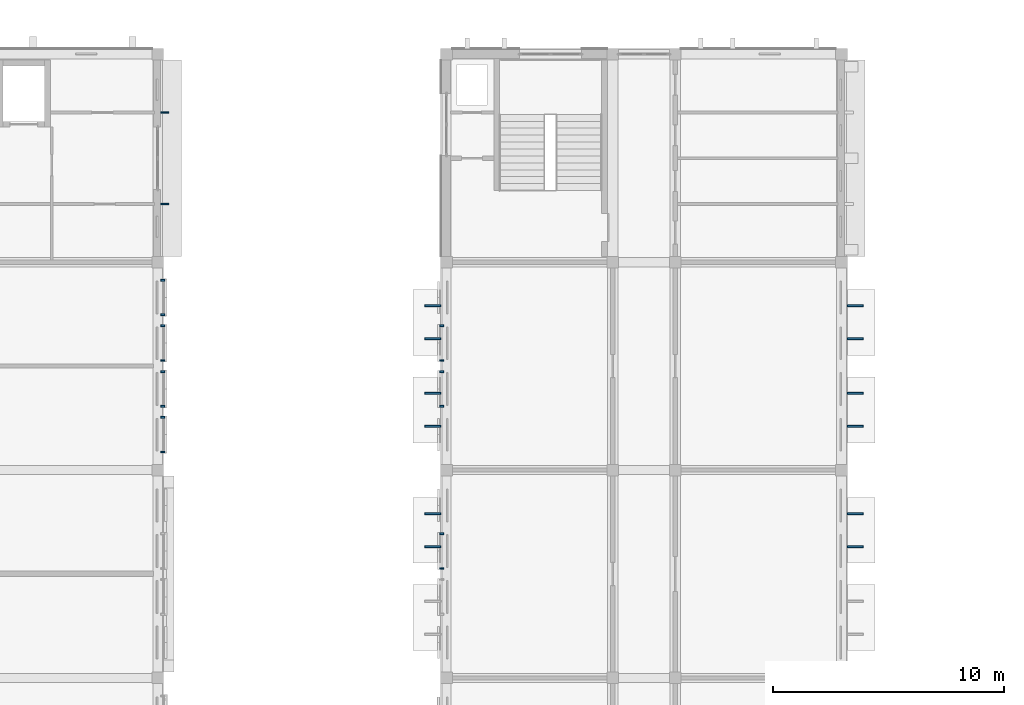
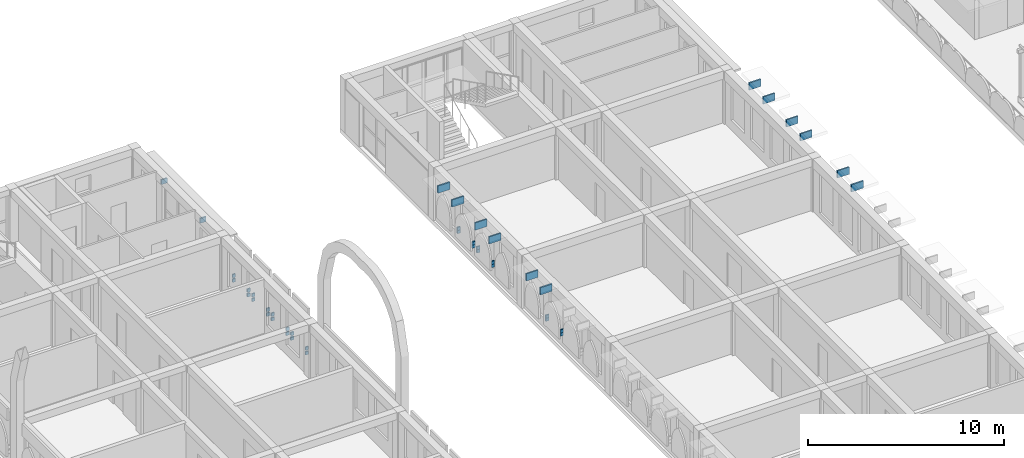
# One storey, part 51 of 65: 42 discrete accessories.
"""IFC4 building model written with IfcOpenShell, lengths in metres."""

from ifc_helpers import new_model, si_unit, direction, frame, origin, origin_2d, place, context, subcontext, project, spatial, rectangle, extrude, material, type_object, element, save


model = new_model("IFC4")

# Units and contexts
model_context = context("Model", 3, precision=1e-05, world=origin(), true_north=direction((0.0, 1.0)))
body_context = subcontext(model_context, "Body", "Model", "MODEL_VIEW")
ifc_project = project(units=[si_unit("LENGTHUNIT", "METRE"), si_unit("AREAUNIT", "SQUARE_METRE"), si_unit("VOLUMEUNIT", "CUBIC_METRE"), si_unit("PLANEANGLEUNIT", "RADIAN"), si_unit("MASSUNIT", "GRAM", prefix="KILO")], contexts=[model_context])

# Site, building, storey
site_placement = place(None, origin())
site = spatial("IfcSite", under=ifc_project, at=site_placement, CompositionType="ELEMENT")
building_placement = place(site_placement, origin())
building = spatial("IfcBuilding", under=site, at=building_placement, Name="Elbe Cascade School", CompositionType="ELEMENT")
storey_placement = place(building_placement, frame((0.0, 0.0, 11.699951171875)))
storey = spatial("IfcBuildingStorey", under=building, at=storey_placement, Name="L03", CompositionType="ELEMENT", Elevation=11.699951171875)

# Discrete accessories
ifc_material = material(Name="Steel S355J2, hot-dip galvanised", Category="steel")
discrete_accessory_type = type_object("IfcDiscreteAccessoryType", Name="Bars envelope Bracket, galvanised steel", PredefinedType="BRACKET", material=ifc_material)
for number, where, z_axis, x_axis, name in (
    (1, (86.31005859375, 42.780029296875, 0.75), (0.0, 0.0, 1.0), (0.0, 1.0, 0.0), "Bracket AC7 jali.e.5.br1ll"),
    (2, (86.31005859375, 42.780029296875, 1.0400390625), (0.0, 0.0, 1.0), (0.0, 1.0, 0.0), "Bracket AC7 jali.e.5.br1lu"),
    (3, (86.31005859375, 44.280029296875, 0.75), (0.0, 0.0, 1.0), (0.0, 1.0, 0.0), "Bracket AC7 jali.e.5.br1rl"),
    (4, (86.31005859375, 44.280029296875, 1.0400390625), (0.0, 0.0, 1.0), (0.0, 1.0, 0.0), "Bracket AC7 jali.e.5.br1ru"),
    (5, (86.31005859375, 44.760009765625, 0.75), (0.0, 0.0, 1.0), (0.0, 1.0, 0.0), "Bracket AC7 jali.e.5.br2ll"),
    (6, (86.31005859375, 44.760009765625, 1.0400390625), (0.0, 0.0, 1.0), (0.0, 1.0, 0.0), "Bracket AC7 jali.e.5.br2lu"),
    (7, (86.31005859375, 46.260009765625, 0.75), (0.0, 0.0, 1.0), (0.0, 1.0, 0.0), "Bracket AC7 jali.e.5.br2rl"),
    (8, (86.31005859375, 46.260009765625, 1.0400390625), (0.0, 0.0, 1.0), (0.0, 1.0, 0.0), "Bracket AC7 jali.e.5.br2ru"),
    (9, (86.31005859375, 46.739990234375, 0.75), (0.0, 0.0, 1.0), (0.0, 1.0, 0.0), "Bracket AC7 jali.e.5.br3ll"),
    (10, (86.31005859375, 46.739990234375, 1.0400390625), (0.0, 0.0, 1.0), (0.0, 1.0, 0.0), "Bracket AC7 jali.e.5.br3lu"),
    (11, (86.31005859375, 48.239990234375, 0.75), (0.0, 0.0, 1.0), (0.0, 1.0, 0.0), "Bracket AC7 jali.e.5.br3rl"),
    (12, (86.31005859375, 48.239990234375, 1.0400390625), (0.0, 0.0, 1.0), (0.0, 1.0, 0.0), "Bracket AC7 jali.e.5.br3ru"),
    (13, (86.31005859375, 48.719970703125, 0.75), (0.0, 0.0, 1.0), (0.0, 1.0, 0.0), "Bracket AC7 jali.e.5.br4ll"),
    (14, (86.31005859375, 48.719970703125, 1.0400390625), (0.0, 0.0, 1.0), (0.0, 1.0, 0.0), "Bracket AC7 jali.e.5.br4lu"),
    (15, (86.31005859375, 50.219970703125, 0.75), (0.0, 0.0, 1.0), (0.0, 1.0, 0.0), "Bracket AC7 jali.e.5.br4rl"),
    (16, (86.31005859375, 50.219970703125, 1.0400390625), (0.0, 0.0, 1.0), (0.0, 1.0, 0.0), "Bracket AC7 jali.e.5.br4ru"),
):
    element("IfcDiscreteAccessory", number, at=place(storey_placement, frame(where, z_axis=z_axis, x_axis=x_axis)), inside=storey, type_object=discrete_accessory_type, Name=name, PredefinedType="BRACKET", context=body_context, shape_type="SweptSolid", body=[
        extrude(rectangle(XDim=0.080078125, YDim=0.179931640625, at=origin_2d()), origin(), (0.0, 0.0, 1.0), 0.199951171875),
    ])
for number, where, z_axis, x_axis, name in (
    (17, (86.39501953125, 53.52001953125, 2.43017578125), (0.0, 0.0, 1.0), (0.0, 1.0, 0.0), "Bracket AC7 eave.e.6.br1"),
    (18, (86.39501953125, 57.47998046875, 2.43017578125), (0.0, 0.0, 1.0), (0.0, 1.0, 0.0), "Bracket AC7 eave.e.6.br2"),
):
    element("IfcDiscreteAccessory", number, at=place(storey_placement, frame(where, z_axis=z_axis, x_axis=x_axis)), inside=storey, type_object=discrete_accessory_type, Name=name, PredefinedType="BRACKET", context=body_context, shape_type="SweptSolid", body=[
        extrude(rectangle(XDim=0.080078125, YDim=0.35009765625, at=origin_2d()), origin(), (0.0, 0.0, 1.0), 0.300048828125),
    ])
for number, where, z_axis, x_axis, name in (
    (19, (98.389892578125, 37.739990234375, 0.75), (0.0, 0.0, 1.0), (0.0, 1.0, 0.0), "Bracket AC7 jali.w.4.br3ll"),
    (20, (98.389892578125, 37.739990234375, 0.93994140625), (0.0, 0.0, 1.0), (0.0, 1.0, 0.0), "Bracket AC7 jali.w.4.br3lu"),
    (21, (98.389892578125, 39.239990234375, 0.75), (0.0, 0.0, 1.0), (0.0, 1.0, 0.0), "Bracket AC7 jali.w.4.br3rl"),
    (22, (98.389892578125, 39.239990234375, 0.93994140625), (0.0, 0.0, 1.0), (0.0, 1.0, 0.0), "Bracket AC7 jali.w.4.br3ru"),
    (23, (98.389892578125, 44.760009765625, 0.75), (0.0, 0.0, 1.0), (0.0, 1.0, 0.0), "Bracket AC7 jali.w.5.br2ll"),
    (24, (98.389892578125, 44.760009765625, 0.93994140625), (0.0, 0.0, 1.0), (0.0, 1.0, 0.0), "Bracket AC7 jali.w.5.br2lu"),
    (25, (98.389892578125, 46.260009765625, 0.75), (0.0, 0.0, 1.0), (0.0, 1.0, 0.0), "Bracket AC7 jali.w.5.br2rl"),
    (26, (98.389892578125, 46.260009765625, 0.93994140625), (0.0, 0.0, 1.0), (0.0, 1.0, 0.0), "Bracket AC7 jali.w.5.br2ru"),
    (27, (98.389892578125, 46.739990234375, 0.75), (0.0, 0.0, 1.0), (0.0, 1.0, 0.0), "Bracket AC7 jali.w.5.br3ll"),
    (28, (98.389892578125, 46.739990234375, 0.93994140625), (0.0, 0.0, 1.0), (0.0, 1.0, 0.0), "Bracket AC7 jali.w.5.br3lu"),
    (29, (98.389892578125, 48.239990234375, 0.75), (0.0, 0.0, 1.0), (0.0, 1.0, 0.0), "Bracket AC7 jali.w.5.br3rl"),
    (30, (98.389892578125, 48.239990234375, 0.93994140625), (0.0, 0.0, 1.0), (0.0, 1.0, 0.0), "Bracket AC7 jali.w.5.br3ru"),
):
    element("IfcDiscreteAccessory", number, at=place(storey_placement, frame(where, z_axis=z_axis, x_axis=x_axis)), inside=storey, type_object=discrete_accessory_type, Name=name, PredefinedType="BRACKET", context=body_context, shape_type="SweptSolid", body=[
        extrude(rectangle(XDim=0.080078125, YDim=0.179931640625, at=origin_2d()), origin(), (0.0, 0.0, 1.0), 0.199951171875),
    ])
for number, where, z_axis, x_axis, name in (
    (31, (98.0, 38.6787109375, 2.97021484375), (0.0, 0.0, 1.0), (0.0, 1.0, 0.0), "Bracket AC7 chslab.w.3.2.br1"),
    (32, (98.0, 40.106201171875, 2.97021484375), (0.0, 0.0, 1.0), (0.0, 1.0, 0.0), "Bracket AC7 chslab.w.3.2.br2"),
    (33, (98.0, 43.893798828125, 2.97021484375), (0.0, 0.0, 1.0), (0.0, 1.0, 0.0), "Bracket AC7 chslab.w.4.1.br1"),
    (34, (98.0, 45.3212890625, 2.97021484375), (0.0, 0.0, 1.0), (0.0, 1.0, 0.0), "Bracket AC7 chslab.w.4.1.br2"),
    (35, (98.0, 47.6787109375, 2.97021484375), (0.0, 0.0, 1.0), (0.0, 1.0, 0.0), "Bracket AC7 chslab.w.4.2.br1"),
    (36, (98.0, 49.106201171875, 2.97021484375), (0.0, 0.0, 1.0), (0.0, 1.0, 0.0), "Bracket AC7 chslab.w.4.2.br2"),
    (37, (116.300048828125, 38.6787109375, 2.97021484375), (0.0, 0.0, 1.0), (0.0, 1.0, 0.0), "Bracket AC7 chslab.e.3.2.br1"),
    (38, (116.300048828125, 40.106201171875, 2.97021484375), (0.0, 0.0, 1.0), (0.0, 1.0, 0.0), "Bracket AC7 chslab.e.3.2.br2"),
    (39, (116.300048828125, 43.893798828125, 2.97021484375), (0.0, 0.0, 1.0), (0.0, 1.0, 0.0), "Bracket AC7 chslab.e.4.1.br1"),
    (40, (116.300048828125, 45.3212890625, 2.97021484375), (0.0, 0.0, 1.0), (0.0, 1.0, 0.0), "Bracket AC7 chslab.e.4.1.br2"),
    (41, (116.300048828125, 47.6787109375, 2.97021484375), (0.0, 0.0, 1.0), (0.0, 1.0, 0.0), "Bracket AC7 chslab.e.4.2.br1"),
    (42, (116.300048828125, 49.106201171875, 2.97021484375), (0.0, 0.0, 1.0), (0.0, 1.0, 0.0), "Bracket AC7 chslab.e.4.2.br2"),
):
    element("IfcDiscreteAccessory", number, at=place(storey_placement, frame(where, z_axis=z_axis, x_axis=x_axis)), inside=storey, type_object=discrete_accessory_type, Name=name, PredefinedType="BRACKET", context=body_context, shape_type="SweptSolid", body=[
        extrude(rectangle(XDim=0.080078125, YDim=0.699951171875, at=origin_2d()), origin(), (0.0, 0.0, 1.0), 0.449951171875),
    ])

save(model, "model.ifc")
